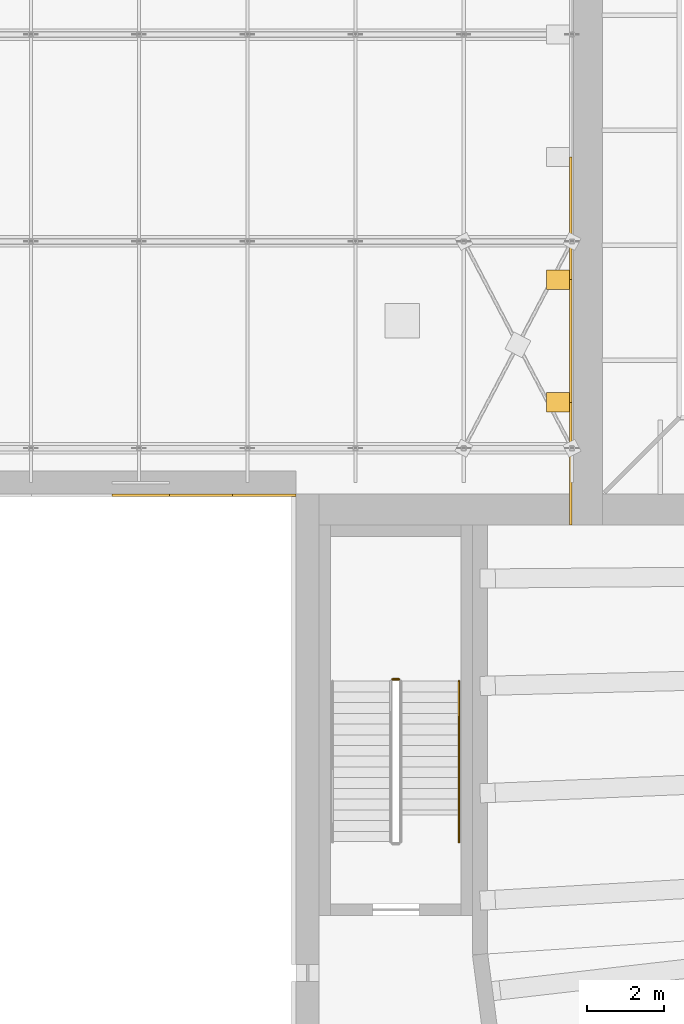
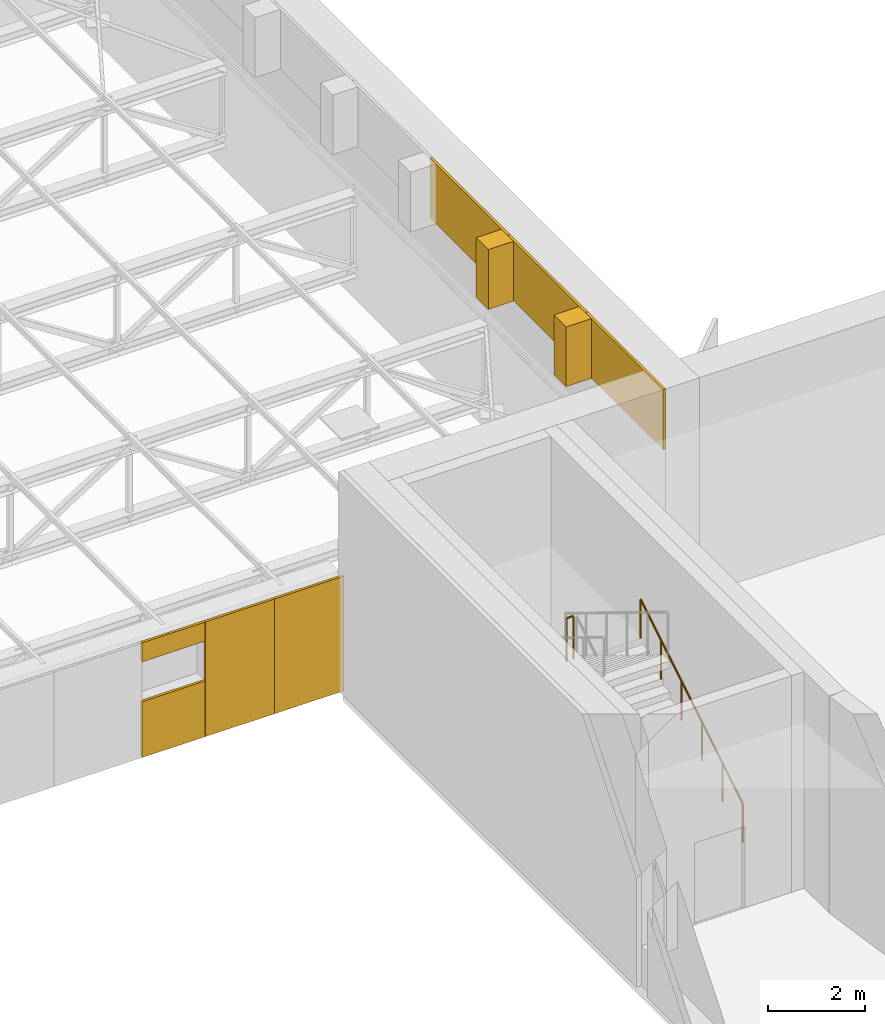
# One storey, part 118 of 132: 9 coverings, 2 railings.
"""IFC4 building model written with IfcOpenShell, lengths in metres."""

from ifc_helpers import new_model, si_unit, direction, frame, origin, origin_2d, place, context, subcontext, project, spatial, rectangle, circle, extrude, material, layer, layer_set, type_object, element, save


model = new_model("IFC4")

# Units and contexts
model_context = context("Model", 3, precision=1e-05, world=origin(), true_north=direction((0.0, 1.0)))
body_context = subcontext(model_context, "Body", "Model", "MODEL_VIEW")
ifc_project = project(units=[si_unit("LENGTHUNIT", "METRE"), si_unit("AREAUNIT", "SQUARE_METRE"), si_unit("VOLUMEUNIT", "CUBIC_METRE"), si_unit("PLANEANGLEUNIT", "RADIAN"), si_unit("MASSUNIT", "GRAM", prefix="KILO")], contexts=[model_context])

# Site, building, storey
site_placement = place(None, origin())
site = spatial("IfcSite", under=ifc_project, at=site_placement, CompositionType="ELEMENT")
building_placement = place(site_placement, origin())
building = spatial("IfcBuilding", under=site, at=building_placement, Name="Lunette Opera House", CompositionType="ELEMENT")
storey_placement = place(building_placement, frame((0.0, 0.0, 17.0)))
storey = spatial("IfcBuildingStorey", under=building, at=storey_placement, Name="L03", CompositionType="ELEMENT", Elevation=17.0)

# Railings
ifc_material_1 = material(Name="Steel S355", Category="steel")
railing_type_1 = type_object("IfcRailingType", Name="STAIR GUARD 1100", PredefinedType="GUARDRAIL", material=ifc_material_1)
railing_1_placement = place(storey_placement, frame((78.679931640625, 91.169921875, 2.75)))
element("IfcRailing", 1, at=railing_1_placement, inside=storey, type_object=railing_type_1, Name="L03 ST10 stair guard 2", PredefinedType="GUARDRAIL", context=body_context, shape_type="SweptSolid", body=[
    extrude(circle(Radius=0.02392578125, at=origin_2d()), frame((0.0, 0.0, 1.076171875), z_axis=(-1.0, 0.0, 0.0), x_axis=(0.0, -1.0, 0.0)), (0.0, 0.0, 1.0), 0.159912109375),
    extrude(circle(Radius=0.02099609375, at=origin_2d()), origin(), (0.0, 0.0, 1.0), 1.052001953125),
    extrude(circle(Radius=0.02099609375, at=origin_2d()), frame((-0.159912109375, 0.0, 0.0)), (0.0, 0.0, 1.0), 1.052001953125),
])
ifc_material_2 = material(Name="Steel S355", Category="steel")
railing_type_2 = type_object("IfcRailingType", Name="STAIR HANDRAIL 1000", PredefinedType="HANDRAIL", material=ifc_material_2)
railing_2_placement = place(storey_placement, frame((80.25, 86.919921875, 0.171875)))
element("IfcRailing", 2, at=railing_2_placement, inside=storey, type_object=railing_type_2, Name="L03 ST10 stair handrail 1", PredefinedType="HANDRAIL", context=body_context, shape_type="SweptSolid", body=[
    extrude(circle(Radius=0.02392578125, at=origin_2d()), frame((0.0, 0.0, 0.97607421875), z_axis=(0.0, 0.852256472501, 0.523124177495), x_axis=(-1.0, 0.0, 0.0)), (0.0, 0.0, 1.0), 4.92822265625),
    extrude(circle(Radius=0.02099609375, at=origin_2d()), origin(), (0.0, 0.0, 1.0), 0.951904296875),
    extrude(circle(Radius=0.02099609375, at=origin_2d()), frame((0.0, 0.840087890625, 0.515625)), (0.0, 0.0, 1.0), 0.951904296875),
    extrude(circle(Radius=0.02099609375, at=origin_2d()), frame((0.0, 1.68017578125, 1.03125)), (0.0, 0.0, 1.0), 0.951904296875),
    extrude(circle(Radius=0.02099609375, at=origin_2d()), frame((0.0, 2.52001953125, 1.546875)), (0.0, 0.0, 1.0), 0.951904296875),
    extrude(circle(Radius=0.02099609375, at=origin_2d()), frame((0.0, 3.360107421875, 2.0625)), (0.0, 0.0, 1.0), 0.951904296875),
    extrude(circle(Radius=0.02099609375, at=origin_2d()), frame((0.0, 4.2001953125, 2.578125)), (0.0, 0.0, 1.0), 0.951904296875),
])

# Coverings
ifc_material_3 = material(Name="Aluminium standing seam cladding", Category="aluminium")
ifc_layer_1 = layer(ifc_material_3, 0.06005859375)
ifc_layer_set_1 = layer_set([ifc_layer_1], Name="Aluminium standing seam cladding")
covering_type_1 = type_object("IfcCoveringType", Name="STANDING SEAM CLADDING 60", PredefinedType="CLADDING", material=ifc_layer_set_1)
for number, where, z_axis, x_axis, name in (
    (3, (83.169921875, 96.800048828125, 4.0), (0.0, 0.0, 1.0), (0.0, 1.0, 0.0), "Standing seam cladding WW L03 00"),
    (4, (83.169921875, 100.0, 4.0), (0.0, 0.0, 1.0), (0.0, 1.0, 0.0), "Standing seam cladding WW L03 01"),
    (5, (83.169921875, 103.199951171875, 4.0), (0.0, 0.0, 1.0), (0.0, 1.0, 0.0), "Standing seam cladding WW L03 02"),
):
    element("IfcCovering", number, at=place(storey_placement, frame(where, z_axis=z_axis, x_axis=x_axis)), inside=storey, type_object=covering_type_1, Name=name, PredefinedType="CLADDING", context=body_context, shape_type="SweptSolid", body=[
        extrude(rectangle(XDim=3.199951171875, YDim=0.06005859375, at=origin_2d()), origin(), (0.0, 0.0, 1.0), 1.5),
    ])
covering_1_placement = place(storey_placement, frame((71.94189453125, 95.969970703125, 0.0), z_axis=(0.0, 0.0, 1.0), x_axis=(1.0, 0.0, 0.0)))
element("IfcCovering", 6, at=covering_1_placement, inside=storey, type_object=covering_type_1, Name="Standing seam cladding SW-S-1 L03 30", PredefinedType="CLADDING", context=body_context, shape_type="SweptSolid", body=[
    extrude(rectangle(XDim=1.5, YDim=0.06005859375, at=origin_2d()), origin(), (0.0, 0.0, 1.0), 1.39990234375),
])
covering_2_placement = place(storey_placement, frame((71.94189453125, 95.969970703125, 2.39990234375), z_axis=(0.0, 0.0, 1.0), x_axis=(1.0, 0.0, 0.0)))
element("IfcCovering", 7, at=covering_2_placement, inside=storey, type_object=covering_type_1, Name="Standing seam cladding SW-S-1 L03 31", PredefinedType="CLADDING", context=body_context, shape_type="SweptSolid", body=[
    extrude(rectangle(XDim=1.5, YDim=0.06005859375, at=origin_2d()), origin(), (0.0, 0.0, 1.0), 0.47998046875),
])
for number, where, z_axis, x_axis, name in (
    (8, (73.51708984375, 95.969970703125, 0.0), (0.0, 0.0, 1.0), (1.0, 0.0, 0.0), "Standing seam cladding SW-S-1 L03 40"),
    (9, (75.1650390625, 95.969970703125, 0.0), (0.0, 0.0, 1.0), (1.0, 0.0, 0.0), "Standing seam cladding SW-S-1 L03 41"),
):
    element("IfcCovering", number, at=place(storey_placement, frame(where, z_axis=z_axis, x_axis=x_axis)), inside=storey, type_object=covering_type_1, Name=name, PredefinedType="CLADDING", context=body_context, shape_type="SweptSolid", body=[
        extrude(rectangle(XDim=1.64892578125, YDim=0.06005859375, at=origin_2d()), origin(), (0.0, 0.0, 1.0), 2.8798828125),
    ])
ifc_material_4 = material(Name="Weathering steel plate", Category="steel")
ifc_layer_2 = layer(ifc_material_4, 0.60009765625)
ifc_layer_set_2 = layer_set([ifc_layer_2], Name="Weathering steel plate")
covering_type_2 = type_object("IfcCoveringType", Name="TOWER RIB 500 X 600", PredefinedType="CLADDING", material=ifc_layer_set_2)
for number, where, z_axis, x_axis, name in (
    (10, (82.840087890625, 98.39990234375, 4.0), (0.0, 0.0, 1.0), (0.0, 1.0, 0.0), "Tower rib WW L03 1"),
    (11, (82.840087890625, 101.60009765625, 4.0), (0.0, 0.0, 1.0), (0.0, 1.0, 0.0), "Tower rib WW L03 2"),
):
    element("IfcCovering", number, at=place(storey_placement, frame(where, z_axis=z_axis, x_axis=x_axis)), inside=storey, type_object=covering_type_2, Name=name, PredefinedType="CLADDING", context=body_context, shape_type="SweptSolid", body=[
        extrude(rectangle(XDim=0.5, YDim=0.60009765625, at=origin_2d()), origin(), (0.0, 0.0, 1.0), 1.5),
    ])

save(model, "model.ifc")
